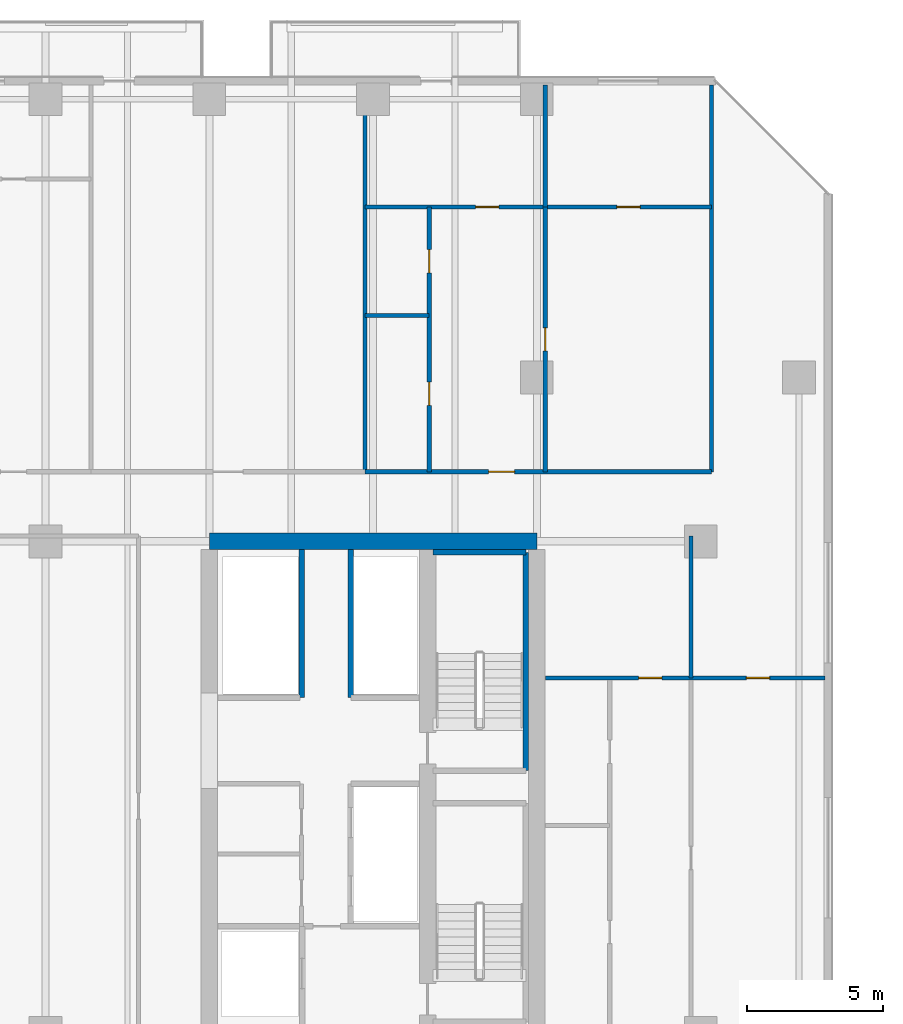
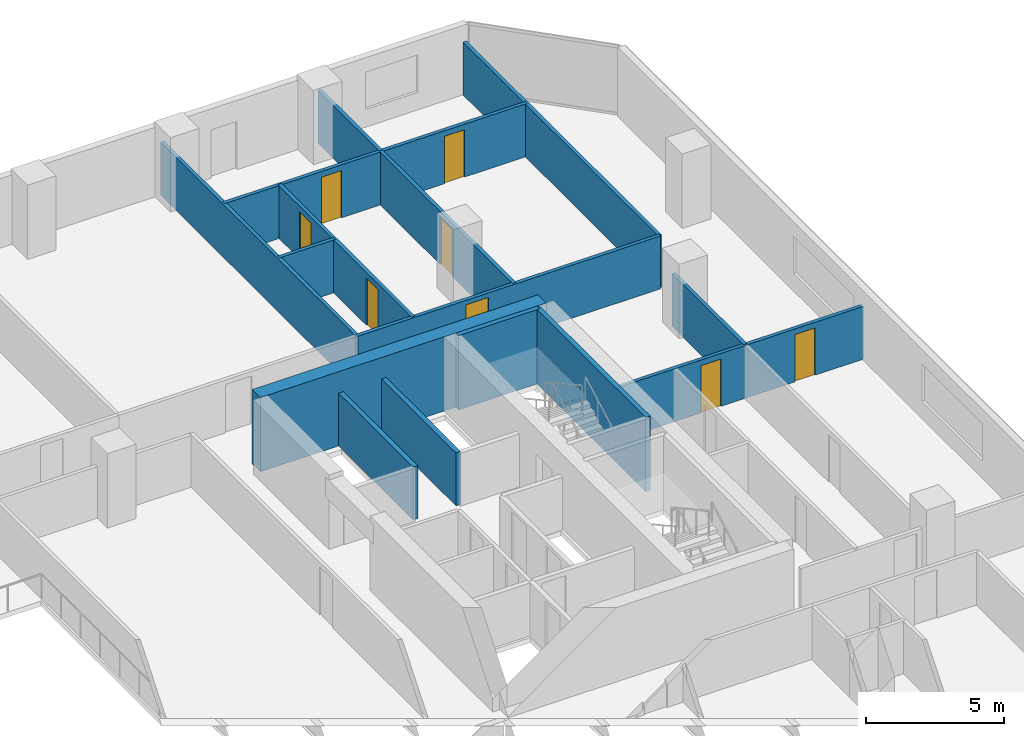
# One storey, part 23 of 33: 15 walls, 8 doors, 8 openings.
"""IFC4 building model written with IfcOpenShell, lengths in metres."""

from ifc_helpers import new_model, si_unit, direction, frame, frame_2d, origin, place, context, subcontext, project, spatial, rectangle, extrude, material, layer, layer_set, type_object, element, fill, save


model = new_model("IFC4")

# Units and contexts
model_context = context("Model", 3, precision=1e-05, world=origin(), true_north=direction((0.0, 1.0)))
body_context = subcontext(model_context, "Body", "Model", "MODEL_VIEW")
ifc_project = project(units=[si_unit("LENGTHUNIT", "METRE"), si_unit("AREAUNIT", "SQUARE_METRE"), si_unit("VOLUMEUNIT", "CUBIC_METRE"), si_unit("PLANEANGLEUNIT", "RADIAN"), si_unit("MASSUNIT", "GRAM", prefix="KILO")], contexts=[model_context])

# Site, building, storey
site_placement = place(None, origin())
site = spatial("IfcSite", under=ifc_project, at=site_placement, CompositionType="ELEMENT")
building_placement = place(site_placement, origin())
building = spatial("IfcBuilding", under=site, at=building_placement, Name="Tanjung Sevakor Pilgrim Tower", CompositionType="ELEMENT")
storey_placement = place(building_placement, frame((0.0, 0.0, 32.340087890625)))
storey = spatial("IfcBuildingStorey", under=building, at=storey_placement, Name="L08", CompositionType="ELEMENT", Elevation=32.340087890625)

# Walls
ifc_material_1 = material(Name="Concrete C60/75", Category="concrete")
ifc_layer_1 = layer(ifc_material_1, 0.60009765625)
ifc_layer_set_1 = layer_set([ifc_layer_1], Name="WALL-CW-600")
wall_type_1 = type_object("IfcWallType", Name="WALL-CW-600", PredefinedType="SHEAR", material=ifc_layer_set_1)
wall_1_placement = place(storey_placement, frame((90.0, 42.60009765625, 0.0), z_axis=(0.0, 0.0, 1.0), x_axis=(-1.0, 0.0, 0.0)))
element("IfcWall", 1, at=wall_1_placement, inside=storey, type_object=wall_type_1, Name="L08 E Core North Shear Wall", PredefinedType="SHEAR", context=body_context, shape_type="SweptSolid", body=[
    extrude(rectangle(XDim=12.0, YDim=0.60009765625, at=frame_2d((6.0, 0.0))), origin(), (0.0, 0.0, 1.0), 3.2998046875),
])
ifc_material_2 = material(Name="Concrete C40/50", Category="concrete")
ifc_layer_2 = layer(ifc_material_2, 0.14990234375)
ifc_layer_set_2 = layer_set([ifc_layer_2], Name="WT-COMP-150")
wall_type_2 = type_object("IfcWallType", Name="WT-COMP-150", PredefinedType="SOLIDWALL", material=ifc_layer_set_2)
for number, where, z_axis, x_axis, name in (
    (2, (96.39990234375, 45.14990234375, 0.0), (0.0, 0.0, 1.0), (0.0, 1.0, 0.0), "L08 Partition IW-L08-091"),
    (3, (83.706298828125, 45.14990234375, 0.0), (0.0, 0.0, 1.0), (0.0, 1.0, 0.0), "L08 Partition IW-L08-104"),
):
    element("IfcWall", number, at=place(storey_placement, frame(where, z_axis=z_axis, x_axis=x_axis)), inside=storey, type_object=wall_type_2, Name=name, PredefinedType="SOLIDWALL", context=body_context, shape_type="SweptSolid", body=[
        extrude(rectangle(XDim=14.170166015625, YDim=0.14990234375, at=frame_2d((7.0849609375, 0.0))), origin(), (0.0, 0.0, 1.0), 2.35009765625),
    ])

# Wall, opening, door
wall_2_placement = place(storey_placement, frame((83.706298828125, 45.14990234375, 0.0), z_axis=(0.0, 0.0, 1.0), x_axis=(1.0, 0.0, 0.0)))
wall_2 = element("IfcWall", 4, at=wall_2_placement, inside=storey, type_object=wall_type_2, Name="L08 Partition IW-L08-111", PredefinedType="SOLIDWALL", context=body_context, shape_type="SweptSolid", body=[
    extrude(rectangle(XDim=12.693603515625, YDim=0.14990234375, at=frame_2d((6.3466796875, 0.0))), origin(), (0.0, 0.0, 1.0), 2.35009765625),
])
opening_1_placement = place(wall_2_placement, frame((4.52587890625, 0.0, 0.0)))
opening_1 = element("IfcOpeningElement", 5, at=opening_1_placement, cuts=wall_2, Name="Opening ID-FD2", PredefinedType="OPENING", context=body_context, shape_type="SweptSolid", body=[
    extrude(rectangle(XDim=0.949951171875, YDim=2.14990234375, at=frame_2d((0.47509765625, 1.074951171875))), frame((0.0, 0.0849609375, 0.0), z_axis=(0.0, -1.0, 0.0), x_axis=(1.0, 0.0, 0.0)), (0.0, 0.0, 1.0), 0.169921875),
])
ifc_material_3 = material(Name="Fire-Rated Timber", Category="wood")
door_type_1 = type_object("IfcDoorType", Name="DT-FIRE-950", OperationType="NOTDEFINED", PredefinedType="DOOR", material=ifc_material_3)
door_1_placement = place(opening_1_placement, origin())
door_1 = element("IfcDoor", 6, at=door_1_placement, inside=storey, type_object=door_type_1, Name="Suite Entrance", OperationType="SINGLE_SWING_LEFT", OverallHeight=2.14990234375, OverallWidth=0.949951171875, PredefinedType="DOOR", context=body_context, shape_type="SweptSolid", body=[
    extrude(rectangle(XDim=0.949951171875, YDim=2.14990234375, at=frame_2d((0.47509765625, 1.074951171875))), frame((0.0, 0.02490234375, 0.0), z_axis=(0.0, -1.0, 0.0), x_axis=(1.0, 0.0, 0.0)), (0.0, 0.0, 1.0), 0.050048828125),
])
fill(opening_1, door_1)

# Walls
ifc_material_4 = material(Name="Concrete C40/50", Category="concrete")
ifc_layer_3 = layer(ifc_material_4, 0.199951171875)
ifc_layer_set_3 = layer_set([ifc_layer_3], Name="WT-FIRE-200")
wall_type_3 = type_object("IfcWallType", Name="WT-FIRE-200", PredefinedType="SOLIDWALL", material=ifc_layer_set_3)
wall_3_placement = place(storey_placement, frame((89.60009765625, 34.199951171875, 0.0), z_axis=(0.0, 0.0, 1.0), x_axis=(0.0, 1.0, 0.0)))
element("IfcWall", 7, at=wall_3_placement, inside=storey, type_object=wall_type_3, Name="L08 TS-E2 Shaft Wall 2", PredefinedType="SOLIDWALL", context=body_context, shape_type="SweptSolid", body=[
    extrude(rectangle(XDim=8.0, YDim=0.199951171875, at=frame_2d((4.0, 0.0))), origin(), (0.0, 0.0, 1.0), 3.2998046875),
])
wall_4_placement = place(storey_placement, frame((89.60009765625, 42.199951171875, 0.0), z_axis=(0.0, 0.0, 1.0), x_axis=(-1.0, 0.0, 0.0)))
element("IfcWall", 8, at=wall_4_placement, inside=storey, type_object=wall_type_3, Name="L08 TS-E2 Shaft Wall 3", PredefinedType="SOLIDWALL", context=body_context, shape_type="SweptSolid", body=[
    extrude(rectangle(XDim=3.400146484375, YDim=0.199951171875, at=frame_2d((1.7001953125, 0.0))), origin(), (0.0, 0.0, 1.0), 3.2998046875),
])
ifc_material_5 = material(Name="Concrete C40/50", Category="concrete")
ifc_layer_4 = layer(ifc_material_5, 0.199951171875)
ifc_layer_set_4 = layer_set([ifc_layer_4], Name="WT-FPRT-200")
wall_type_4 = type_object("IfcWallType", Name="WT-FPRT-200", PredefinedType="SOLIDWALL", material=ifc_layer_set_4)
for number, where, z_axis, x_axis, name in (
    (9, (83.179931640625, 36.8798828125, 0.0), (0.0, 0.0, 1.0), (0.0, 1.0, 0.0), "L08 Partition IW-L08-020"),
    (10, (81.3798828125, 36.8798828125, 0.0), (0.0, 0.0, 1.0), (0.0, 1.0, 0.0), "L08 Partition IW-L08-022"),
):
    element("IfcWall", number, at=place(storey_placement, frame(where, z_axis=z_axis, x_axis=x_axis)), inside=storey, type_object=wall_type_4, Name=name, PredefinedType="SOLIDWALL", context=body_context, shape_type="SweptSolid", body=[
        extrude(rectangle(XDim=5.420166015625, YDim=0.199951171875, at=frame_2d((2.7099609375, 0.0))), origin(), (0.0, 0.0, 1.0), 2.35009765625),
    ])
ifc_material_6 = material(Name="Gypsum Board Partition", Category="gypsum board")
ifc_layer_5 = layer(ifc_material_6, 0.14990234375)
ifc_layer_set_5 = layer_set([ifc_layer_5], Name="WT-PART-150")
wall_type_5 = type_object("IfcWallType", Name="WT-PART-150", PredefinedType="PARTITIONING", material=ifc_layer_set_5)
wall_5_placement = place(storey_placement, frame((95.644775390625, 37.60009765625, 0.0), z_axis=(0.0, 0.0, 1.0), x_axis=(0.0, 1.0, 0.0)))
element("IfcWall", 11, at=wall_5_placement, inside=storey, type_object=wall_type_5, Name="L08 Partition IW-L08-035", PredefinedType="PARTITIONING", context=body_context, shape_type="SweptSolid", body=[
    extrude(rectangle(XDim=5.199951171875, YDim=0.14990234375, at=frame_2d((2.60009765625, 0.0))), origin(), (0.0, 0.0, 1.0), 2.35009765625),
])

# Wall, openings, doors
wall_6_placement = place(storey_placement, frame((90.320068359375, 37.60009765625, 0.0), z_axis=(0.0, 0.0, 1.0), x_axis=(1.0, 0.0, 0.0)))
wall_6 = element("IfcWall", 12, at=wall_6_placement, inside=storey, type_object=wall_type_5, Name="L08 Partition IW-L08-036", PredefinedType="PARTITIONING", context=body_context, shape_type="SweptSolid", body=[
    extrude(rectangle(XDim=10.239990234375, YDim=0.14990234375, at=frame_2d((5.1201171875, 0.0))), origin(), (0.0, 0.0, 1.0), 2.35009765625),
])
opening_2_placement = place(wall_6_placement, frame((3.412353515625, 0.0, 0.0)))
opening_2 = element("IfcOpeningElement", 13, at=opening_2_placement, cuts=wall_6, Name="Opening ID-WC1", PredefinedType="OPENING", context=body_context, shape_type="SweptSolid", body=[
    extrude(rectangle(XDim=0.85009765625, YDim=2.10009765625, at=frame_2d((0.425048828125, 1.050048828125))), frame((0.0, 0.0849609375, 0.0), z_axis=(0.0, -1.0, 0.0), x_axis=(1.0, 0.0, 0.0)), (0.0, 0.0, 1.0), 0.169921875),
])
opening_3_placement = place(wall_6_placement, frame((7.357421875, 0.0, 0.0)))
opening_3 = element("IfcOpeningElement", 14, at=opening_3_placement, cuts=wall_6, Name="Opening ID-WC1", PredefinedType="OPENING", context=body_context, shape_type="SweptSolid", body=[
    extrude(rectangle(XDim=0.85009765625, YDim=2.10009765625, at=frame_2d((0.425048828125, 1.050048828125))), frame((0.0, 0.0849609375, 0.0), z_axis=(0.0, -1.0, 0.0), x_axis=(1.0, 0.0, 0.0)), (0.0, 0.0, 1.0), 0.169921875),
])
ifc_material_7 = material(Name="Moisture-Resistant Timber", Category="wood")
door_type_2 = type_object("IfcDoorType", Name="DT-INT-850", OperationType="NOTDEFINED", PredefinedType="DOOR", material=ifc_material_7)
door_2_placement = place(opening_2_placement, origin())
door_2 = element("IfcDoor", 15, at=door_2_placement, inside=storey, type_object=door_type_2, Name="Suite Bedroom 1 Door", OperationType="SINGLE_SWING_LEFT", OverallHeight=2.10009765625, OverallWidth=0.85009765625, PredefinedType="DOOR", context=body_context, shape_type="SweptSolid", body=[
    extrude(rectangle(XDim=0.85009765625, YDim=2.10009765625, at=frame_2d((0.425048828125, 1.050048828125))), frame((0.0, 0.02490234375, 0.0), z_axis=(0.0, -1.0, 0.0), x_axis=(1.0, 0.0, 0.0)), (0.0, 0.0, 1.0), 0.050048828125),
])
fill(opening_2, door_2)
door_3_placement = place(opening_3_placement, origin())
door_3 = element("IfcDoor", 16, at=door_3_placement, inside=storey, type_object=door_type_2, Name="Suite Bedroom 2 Door", OperationType="SINGLE_SWING_RIGHT", OverallHeight=2.10009765625, OverallWidth=0.85009765625, PredefinedType="DOOR", context=body_context, shape_type="SweptSolid", body=[
    extrude(rectangle(XDim=0.85009765625, YDim=2.10009765625, at=frame_2d((0.425048828125, 1.050048828125))), frame((0.0, 0.02490234375, 0.0), z_axis=(0.0, -1.0, 0.0), x_axis=(1.0, 0.0, 0.0)), (0.0, 0.0, 1.0), 0.050048828125),
])
fill(opening_3, door_3)

# Wall, opening, door
wall_7_placement = place(storey_placement, frame((90.30712890625, 45.14990234375, 0.0), z_axis=(0.0, 0.0, 1.0), x_axis=(0.0, 1.0, 0.0)))
wall_7 = element("IfcWall", 17, at=wall_7_placement, inside=storey, type_object=wall_type_5, Name="L08 Partition IW-L08-106", PredefinedType="PARTITIONING", context=body_context, shape_type="SweptSolid", body=[
    extrude(rectangle(XDim=9.700927734375, YDim=0.14990234375, at=frame_2d((4.8505859375, 0.0))), origin(), (0.0, 0.0, 1.0), 2.35009765625),
])
opening_4_placement = place(wall_7_placement, frame((4.42529296875, 0.0, 0.0)))
opening_4 = element("IfcOpeningElement", 18, at=opening_4_placement, cuts=wall_7, Name="Opening ID-WC1", PredefinedType="OPENING", context=body_context, shape_type="SweptSolid", body=[
    extrude(rectangle(XDim=0.85009765625, YDim=2.10009765625, at=frame_2d((0.425048828125, 1.050048828125))), frame((0.0, 0.0849609375, 0.0), z_axis=(0.0, -1.0, 0.0), x_axis=(1.0, 0.0, 0.0)), (0.0, 0.0, 1.0), 0.169921875),
])
door_4_placement = place(opening_4_placement, origin())
door_4 = element("IfcDoor", 19, at=door_4_placement, inside=storey, type_object=door_type_2, Name="Suite Study Room Door", OperationType="SINGLE_SWING_RIGHT", OverallHeight=2.10009765625, OverallWidth=0.85009765625, PredefinedType="DOOR", context=body_context, shape_type="SweptSolid", body=[
    extrude(rectangle(XDim=0.85009765625, YDim=2.10009765625, at=frame_2d((0.425048828125, 1.050048828125))), frame((0.0, 0.02490234375, 0.0), z_axis=(0.0, -1.0, 0.0), x_axis=(1.0, 0.0, 0.0)), (0.0, 0.0, 1.0), 0.050048828125),
])
fill(opening_4, door_4)

# Wall
wall_8_placement = place(storey_placement, frame((83.706298828125, 50.87353515625, 0.0), z_axis=(0.0, 0.0, 1.0), x_axis=(1.0, 0.0, 0.0)))
element("IfcWall", 20, at=wall_8_placement, inside=storey, type_object=wall_type_5, Name="L08 Partition IW-L08-107", PredefinedType="PARTITIONING", context=body_context, shape_type="SweptSolid", body=[
    extrude(rectangle(XDim=2.35009765625, YDim=0.14990234375, at=frame_2d((1.175048828125, 0.0))), origin(), (0.0, 0.0, 1.0), 2.35009765625),
])

# Wall, openings, doors
wall_9_placement = place(storey_placement, frame((86.056396484375, 45.14990234375, 0.0), z_axis=(0.0, 0.0, 1.0), x_axis=(0.0, 1.0, 0.0)))
wall_9 = element("IfcWall", 21, at=wall_9_placement, inside=storey, type_object=wall_type_5, Name="L08 Partition IW-L08-108", PredefinedType="PARTITIONING", context=body_context, shape_type="SweptSolid", body=[
    extrude(rectangle(XDim=9.700927734375, YDim=0.14990234375, at=frame_2d((4.8505859375, 0.0))), origin(), (0.0, 0.0, 1.0), 2.35009765625),
])
opening_5_placement = place(wall_9_placement, frame((2.436767578125, 0.0, 0.0)))
opening_5 = element("IfcOpeningElement", 22, at=opening_5_placement, cuts=wall_9, Name="Opening ID-WC1", PredefinedType="OPENING", context=body_context, shape_type="SweptSolid", body=[
    extrude(rectangle(XDim=0.85009765625, YDim=2.10009765625, at=frame_2d((0.425048828125, 1.050048828125))), frame((0.0, 0.0849609375, 0.0), z_axis=(0.0, -1.0, 0.0), x_axis=(1.0, 0.0, 0.0)), (0.0, 0.0, 1.0), 0.169921875),
])
opening_6_placement = place(wall_9_placement, frame((7.287109375, 0.0, 0.0)))
opening_6 = element("IfcOpeningElement", 23, at=opening_6_placement, cuts=wall_9, Name="Opening ID-WC1", PredefinedType="OPENING", context=body_context, shape_type="SweptSolid", body=[
    extrude(rectangle(XDim=0.85009765625, YDim=2.10009765625, at=frame_2d((0.425048828125, 1.050048828125))), frame((0.0, 0.0849609375, 0.0), z_axis=(0.0, -1.0, 0.0), x_axis=(1.0, 0.0, 0.0)), (0.0, 0.0, 1.0), 0.169921875),
])
door_5_placement = place(opening_5_placement, origin())
door_5 = element("IfcDoor", 24, at=door_5_placement, inside=storey, type_object=door_type_2, Name="Suite Kitchenette Door", OperationType="SINGLE_SWING_LEFT", OverallHeight=2.10009765625, OverallWidth=0.85009765625, PredefinedType="DOOR", context=body_context, shape_type="SweptSolid", body=[
    extrude(rectangle(XDim=0.85009765625, YDim=2.10009765625, at=frame_2d((0.425048828125, 1.050048828125))), frame((0.0, 0.02490234375, 0.0), z_axis=(0.0, -1.0, 0.0), x_axis=(1.0, 0.0, 0.0)), (0.0, 0.0, 1.0), 0.050048828125),
])
fill(opening_5, door_5)
door_6_placement = place(opening_6_placement, origin())
door_6 = element("IfcDoor", 25, at=door_6_placement, inside=storey, type_object=door_type_2, Name="Suite Bathroom Door", OperationType="SINGLE_SWING_RIGHT", OverallHeight=2.10009765625, OverallWidth=0.85009765625, PredefinedType="DOOR", context=body_context, shape_type="SweptSolid", body=[
    extrude(rectangle(XDim=0.85009765625, YDim=2.10009765625, at=frame_2d((0.425048828125, 1.050048828125))), frame((0.0, 0.02490234375, 0.0), z_axis=(0.0, -1.0, 0.0), x_axis=(1.0, 0.0, 0.0)), (0.0, 0.0, 1.0), 0.050048828125),
])
fill(opening_6, door_6)

# Wall
wall_10_placement = place(storey_placement, frame((90.30712890625, 54.850830078125, 0.0), z_axis=(0.0, 0.0, 1.0), x_axis=(0.0, 1.0, 0.0)))
element("IfcWall", 26, at=wall_10_placement, inside=storey, type_object=wall_type_5, Name="L08 Partition IW-L08-109", PredefinedType="PARTITIONING", context=body_context, shape_type="SweptSolid", body=[
    extrude(rectangle(XDim=4.46923828125, YDim=0.14990234375, at=frame_2d((2.234619140625, 0.0))), origin(), (0.0, 0.0, 1.0), 2.35009765625),
])

# Wall, openings, doors
wall_11_placement = place(storey_placement, frame((83.706298828125, 54.850830078125, 0.0), z_axis=(0.0, 0.0, 1.0), x_axis=(1.0, 0.0, 0.0)))
wall_11 = element("IfcWall", 27, at=wall_11_placement, inside=storey, type_object=wall_type_5, Name="L08 Partition IW-L08-110", PredefinedType="PARTITIONING", context=body_context, shape_type="SweptSolid", body=[
    extrude(rectangle(XDim=12.693603515625, YDim=0.14990234375, at=frame_2d((6.3466796875, 0.0))), origin(), (0.0, 0.0, 1.0), 2.35009765625),
])
opening_7_placement = place(wall_11_placement, frame((4.05029296875, 0.0, 0.0)))
opening_7 = element("IfcOpeningElement", 28, at=opening_7_placement, cuts=wall_11, Name="Opening ID-WC1", PredefinedType="OPENING", context=body_context, shape_type="SweptSolid", body=[
    extrude(rectangle(XDim=0.85009765625, YDim=2.10009765625, at=frame_2d((0.425048828125, 1.050048828125))), frame((0.0, 0.0849609375, 0.0), z_axis=(0.0, -1.0, 0.0), x_axis=(1.0, 0.0, 0.0)), (0.0, 0.0, 1.0), 0.169921875),
])
opening_8_placement = place(wall_11_placement, frame((9.22216796875, 0.0, 0.0)))
opening_8 = element("IfcOpeningElement", 29, at=opening_8_placement, cuts=wall_11, Name="Opening ID-WC1", PredefinedType="OPENING", context=body_context, shape_type="SweptSolid", body=[
    extrude(rectangle(XDim=0.85009765625, YDim=2.10009765625, at=frame_2d((0.425048828125, 1.050048828125))), frame((0.0, 0.0849609375, 0.0), z_axis=(0.0, -1.0, 0.0), x_axis=(1.0, 0.0, 0.0)), (0.0, 0.0, 1.0), 0.169921875),
])
door_7_placement = place(opening_7_placement, origin())
door_7 = element("IfcDoor", 30, at=door_7_placement, inside=storey, type_object=door_type_2, Name="Suite Bedroom 1 Door", OperationType="SINGLE_SWING_LEFT", OverallHeight=2.10009765625, OverallWidth=0.85009765625, PredefinedType="DOOR", context=body_context, shape_type="SweptSolid", body=[
    extrude(rectangle(XDim=0.85009765625, YDim=2.10009765625, at=frame_2d((0.425048828125, 1.050048828125))), frame((0.0, 0.02490234375, 0.0), z_axis=(0.0, -1.0, 0.0), x_axis=(1.0, 0.0, 0.0)), (0.0, 0.0, 1.0), 0.050048828125),
])
fill(opening_7, door_7)
door_8_placement = place(opening_8_placement, origin())
door_8 = element("IfcDoor", 31, at=door_8_placement, inside=storey, type_object=door_type_2, Name="Suite Bedroom 2 Door", OperationType="SINGLE_SWING_RIGHT", OverallHeight=2.10009765625, OverallWidth=0.85009765625, PredefinedType="DOOR", context=body_context, shape_type="SweptSolid", body=[
    extrude(rectangle(XDim=0.85009765625, YDim=2.10009765625, at=frame_2d((0.425048828125, 1.050048828125))), frame((0.0, 0.02490234375, 0.0), z_axis=(0.0, -1.0, 0.0), x_axis=(1.0, 0.0, 0.0)), (0.0, 0.0, 1.0), 0.050048828125),
])
fill(opening_8, door_8)

save(model, "model.ifc")
